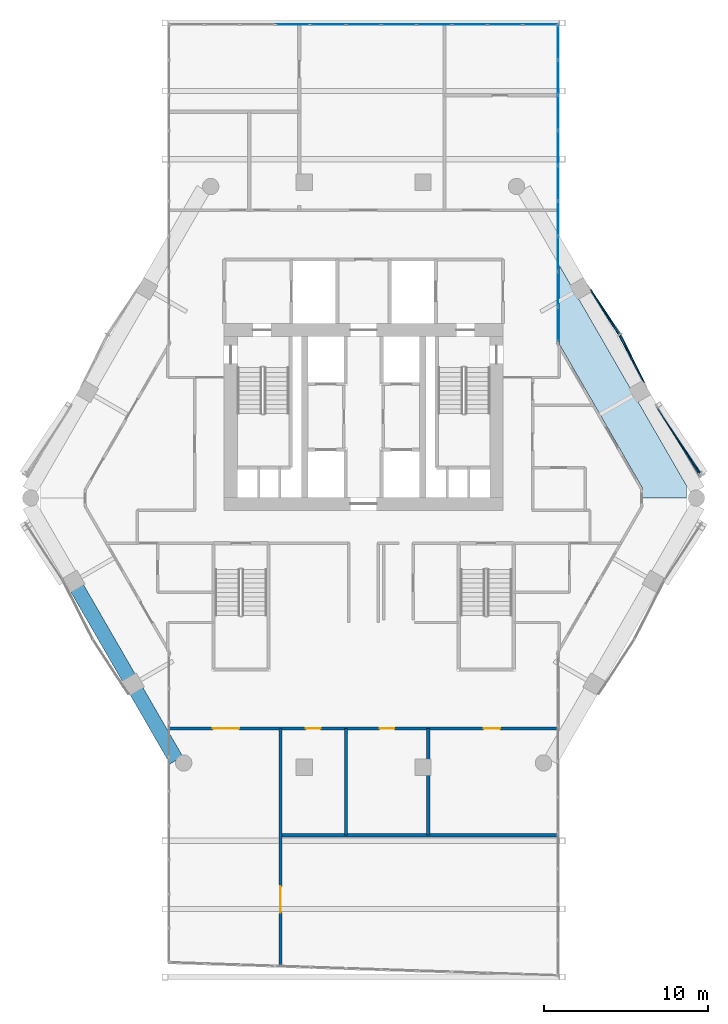
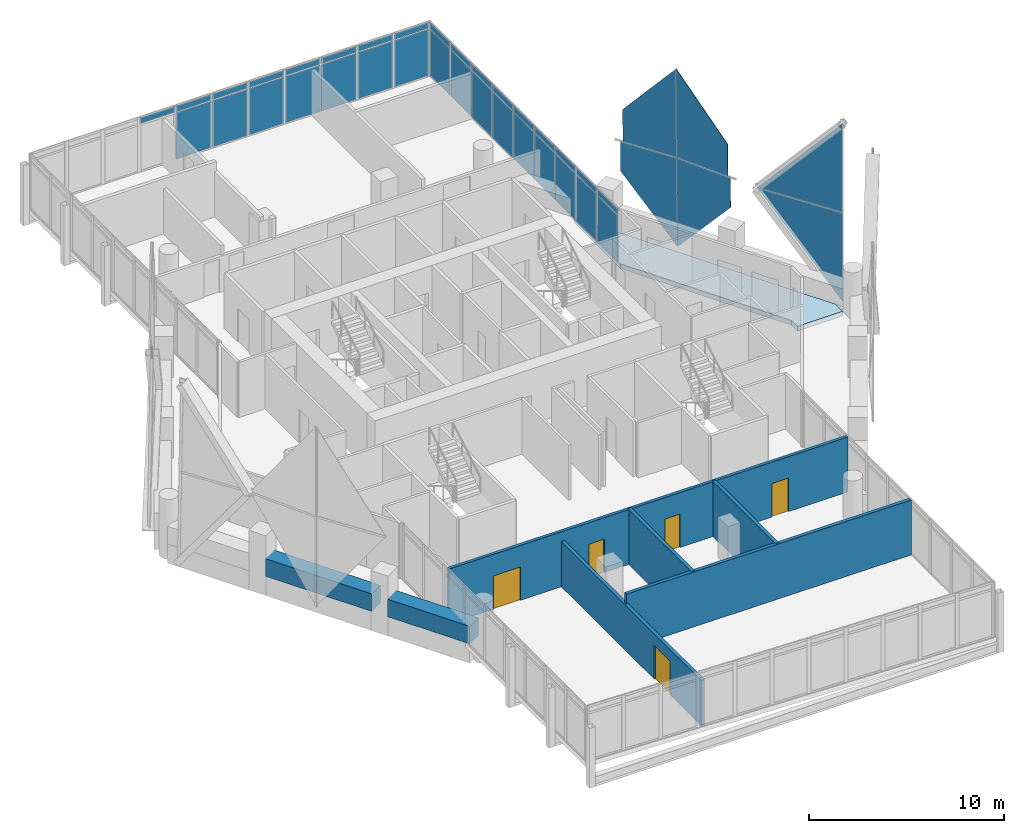
# One storey, part 28 of 37: 39 plates, 7 walls, 5 doors, 1 slab, 5 openings, 6 elements without a shape of their own.
"""IFC4 building model written with IfcOpenShell, lengths in metres."""

from ifc_helpers import new_model, si_unit, direction, frame, frame_2d, origin, origin_2d, place, context, subcontext, project, spatial, polyline, rectangle, outline, extrude, material, layer, layer_set, type_object, element, fill, aggregate, save


model = new_model("IFC4")

# Units and contexts
model_context = context("Model", 3, precision=1e-05, world=origin(), true_north=direction((0.0, 1.0)))
body_context = subcontext(model_context, "Body", "Model", "MODEL_VIEW")
ifc_project = project(units=[si_unit("LENGTHUNIT", "METRE"), si_unit("AREAUNIT", "SQUARE_METRE"), si_unit("VOLUMEUNIT", "CUBIC_METRE"), si_unit("PLANEANGLEUNIT", "RADIAN"), si_unit("MASSUNIT", "GRAM", prefix="KILO")], contexts=[model_context])

# Site, building, storey
site_placement = place(None, origin())
site = spatial("IfcSite", under=ifc_project, at=site_placement, CompositionType="ELEMENT")
building_placement = place(site_placement, origin())
building = spatial("IfcBuilding", under=site, at=building_placement, Name="Ostrander Bayou Hotel Tower", CompositionType="ELEMENT")
storey_placement = place(building_placement, frame((0.0, 0.0, 198.25)))
storey = spatial("IfcBuildingStorey", under=building, at=storey_placement, Name="L49", CompositionType="ELEMENT", Elevation=198.25)

# Curtain wall, plates
ifc_material_1 = material(Name="Aluminium and clear glass", Category="aluminium")
curtain_wall_type_1 = type_object("IfcCurtainWallType", Name="CW-BAR glazed wall", PredefinedType="NOTDEFINED", material=ifc_material_1)
curtain_wall_1_placement = place(storey_placement, origin())
curtain_wall_1 = element("IfcCurtainWall", 1, at=curtain_wall_1_placement, inside=storey, type_object=curtain_wall_type_1, Name="CW-BAR L49:SB4N:T", PredefinedType="NOTDEFINED")
ifc_material_2 = material(Name="Clear laminated glass", Category="glass")
ifc_layer_1 = layer(ifc_material_2, 0.028076171875)
ifc_layer_set_1 = layer_set([ifc_layer_1], Name="CW-BR glazing panel 28 mm")
plate_type_1 = type_object("IfcPlateType", Name="CW-BR glazing panel 28 mm", PredefinedType="CURTAIN_PANEL", material=ifc_layer_set_1)
plate_1_placement = place(storey_placement, frame((-4.311767578125, 27.916015625, 3.02978515625), z_axis=(0.0, 0.0, 1.0), x_axis=(1.0, 0.0, 0.0)))
plate_1 = element("IfcPlate", 2, at=plate_1_placement, type_object=plate_type_1, Name="CW-BAR panel 4.2", PredefinedType="CURTAIN_PANEL", context=body_context, shape_type="SweptSolid", body=[
    extrude(rectangle(XDim=2.095947265625, YDim=0.028076171875, at=origin_2d()), origin(), (0.0, 0.0, 1.0), 0.360107421875),
])
plate_2_placement = place(storey_placement, frame((-2.15576171875, 27.916015625, 0.06005859375), z_axis=(0.0, 0.0, 1.0), x_axis=(1.0, 0.0, 0.0)))
plate_2 = element("IfcPlate", 3, at=plate_2_placement, type_object=plate_type_1, Name="CW-BAR panel 5.1", PredefinedType="CURTAIN_PANEL", context=body_context, shape_type="SweptSolid", body=[
    extrude(rectangle(XDim=2.095947265625, YDim=0.028076171875, at=origin_2d()), origin(), (0.0, 0.0, 1.0), 2.909912109375),
])
plate_3_placement = place(storey_placement, frame((-2.15576171875, 27.916015625, 3.02978515625), z_axis=(0.0, 0.0, 1.0), x_axis=(1.0, 0.0, 0.0)))
plate_3 = element("IfcPlate", 4, at=plate_3_placement, type_object=plate_type_1, Name="CW-BAR panel 5.2", PredefinedType="CURTAIN_PANEL", context=body_context, shape_type="SweptSolid", body=[
    extrude(rectangle(XDim=2.095947265625, YDim=0.028076171875, at=origin_2d()), origin(), (0.0, 0.0, 1.0), 0.360107421875),
])
plate_4_placement = place(storey_placement, frame((0.0, 27.916015625, 0.06005859375), z_axis=(0.0, 0.0, 1.0), x_axis=(1.0, 0.0, 0.0)))
plate_4 = element("IfcPlate", 5, at=plate_4_placement, type_object=plate_type_1, Name="CW-BAR panel 6.1", PredefinedType="CURTAIN_PANEL", context=body_context, shape_type="SweptSolid", body=[
    extrude(rectangle(XDim=2.095947265625, YDim=0.028076171875, at=origin_2d()), origin(), (0.0, 0.0, 1.0), 2.909912109375),
])
plate_5_placement = place(storey_placement, frame((0.0, 27.916015625, 3.02978515625), z_axis=(0.0, 0.0, 1.0), x_axis=(1.0, 0.0, 0.0)))
plate_5 = element("IfcPlate", 6, at=plate_5_placement, type_object=plate_type_1, Name="CW-BAR panel 6.2", PredefinedType="CURTAIN_PANEL", context=body_context, shape_type="SweptSolid", body=[
    extrude(rectangle(XDim=2.095947265625, YDim=0.028076171875, at=origin_2d()), origin(), (0.0, 0.0, 1.0), 0.360107421875),
])
plate_6_placement = place(storey_placement, frame((2.15576171875, 27.916015625, 0.06005859375), z_axis=(0.0, 0.0, 1.0), x_axis=(1.0, 0.0, 0.0)))
plate_6 = element("IfcPlate", 7, at=plate_6_placement, type_object=plate_type_1, Name="CW-BAR panel 7.1", PredefinedType="CURTAIN_PANEL", context=body_context, shape_type="SweptSolid", body=[
    extrude(rectangle(XDim=2.095947265625, YDim=0.028076171875, at=origin_2d()), origin(), (0.0, 0.0, 1.0), 2.909912109375),
])
plate_7_placement = place(storey_placement, frame((2.15576171875, 27.916015625, 3.02978515625), z_axis=(0.0, 0.0, 1.0), x_axis=(1.0, 0.0, 0.0)))
plate_7 = element("IfcPlate", 8, at=plate_7_placement, type_object=plate_type_1, Name="CW-BAR panel 7.2", PredefinedType="CURTAIN_PANEL", context=body_context, shape_type="SweptSolid", body=[
    extrude(rectangle(XDim=2.095947265625, YDim=0.028076171875, at=origin_2d()), origin(), (0.0, 0.0, 1.0), 0.360107421875),
])
plate_8_placement = place(storey_placement, frame((4.311767578125, 27.916015625, 0.06005859375), z_axis=(0.0, 0.0, 1.0), x_axis=(1.0, 0.0, 0.0)))
plate_8 = element("IfcPlate", 9, at=plate_8_placement, type_object=plate_type_1, Name="CW-BAR panel 8.1", PredefinedType="CURTAIN_PANEL", context=body_context, shape_type="SweptSolid", body=[
    extrude(rectangle(XDim=2.095947265625, YDim=0.028076171875, at=origin_2d()), origin(), (0.0, 0.0, 1.0), 2.909912109375),
])
plate_9_placement = place(storey_placement, frame((4.311767578125, 27.916015625, 3.02978515625), z_axis=(0.0, 0.0, 1.0), x_axis=(1.0, 0.0, 0.0)))
plate_9 = element("IfcPlate", 10, at=plate_9_placement, type_object=plate_type_1, Name="CW-BAR panel 8.2", PredefinedType="CURTAIN_PANEL", context=body_context, shape_type="SweptSolid", body=[
    extrude(rectangle(XDim=2.095947265625, YDim=0.028076171875, at=origin_2d()), origin(), (0.0, 0.0, 1.0), 0.360107421875),
])
plate_10_placement = place(storey_placement, frame((6.467529296875, 27.916015625, 0.06005859375), z_axis=(0.0, 0.0, 1.0), x_axis=(1.0, 0.0, 0.0)))
plate_10 = element("IfcPlate", 11, at=plate_10_placement, type_object=plate_type_1, Name="CW-BAR panel 9.1", PredefinedType="CURTAIN_PANEL", context=body_context, shape_type="SweptSolid", body=[
    extrude(rectangle(XDim=2.095947265625, YDim=0.028076171875, at=origin_2d()), origin(), (0.0, 0.0, 1.0), 2.909912109375),
])
plate_11_placement = place(storey_placement, frame((6.467529296875, 27.916015625, 3.02978515625), z_axis=(0.0, 0.0, 1.0), x_axis=(1.0, 0.0, 0.0)))
plate_11 = element("IfcPlate", 12, at=plate_11_placement, type_object=plate_type_1, Name="CW-BAR panel 9.2", PredefinedType="CURTAIN_PANEL", context=body_context, shape_type="SweptSolid", body=[
    extrude(rectangle(XDim=2.095947265625, YDim=0.028076171875, at=origin_2d()), origin(), (0.0, 0.0, 1.0), 0.360107421875),
])
plate_12_placement = place(storey_placement, frame((8.62353515625, 27.916015625, 0.06005859375), z_axis=(0.0, 0.0, 1.0), x_axis=(1.0, 0.0, 0.0)))
plate_12 = element("IfcPlate", 13, at=plate_12_placement, type_object=plate_type_1, Name="CW-BAR panel 10.1", PredefinedType="CURTAIN_PANEL", context=body_context, shape_type="SweptSolid", body=[
    extrude(rectangle(XDim=2.095947265625, YDim=0.028076171875, at=origin_2d()), origin(), (0.0, 0.0, 1.0), 2.909912109375),
])
plate_13_placement = place(storey_placement, frame((8.62353515625, 27.916015625, 3.02978515625), z_axis=(0.0, 0.0, 1.0), x_axis=(1.0, 0.0, 0.0)))
plate_13 = element("IfcPlate", 14, at=plate_13_placement, type_object=plate_type_1, Name="CW-BAR panel 10.2", PredefinedType="CURTAIN_PANEL", context=body_context, shape_type="SweptSolid", body=[
    extrude(rectangle(XDim=2.095947265625, YDim=0.028076171875, at=origin_2d()), origin(), (0.0, 0.0, 1.0), 0.360107421875),
])
plate_14_placement = place(storey_placement, frame((10.76416015625, 27.916015625, 0.06005859375), z_axis=(0.0, 0.0, 1.0), x_axis=(1.0, 0.0, 0.0)))
plate_14 = element("IfcPlate", 15, at=plate_14_placement, type_object=plate_type_1, Name="CW-BAR panel 11.1", PredefinedType="CURTAIN_PANEL", context=body_context, shape_type="SweptSolid", body=[
    extrude(rectangle(XDim=2.06591796875, YDim=0.028076171875, at=origin_2d()), origin(), (0.0, 0.0, 1.0), 2.909912109375),
])
plate_15_placement = place(storey_placement, frame((10.76416015625, 27.916015625, 3.02978515625), z_axis=(0.0, 0.0, 1.0), x_axis=(1.0, 0.0, 0.0)))
plate_15 = element("IfcPlate", 16, at=plate_15_placement, type_object=plate_type_1, Name="CW-BAR panel 11.2", PredefinedType="CURTAIN_PANEL", context=body_context, shape_type="SweptSolid", body=[
    extrude(rectangle(XDim=2.06591796875, YDim=0.028076171875, at=origin_2d()), origin(), (0.0, 0.0, 1.0), 0.360107421875),
])
aggregate(curtain_wall_1, [plate_1, plate_2, plate_3, plate_4, plate_5, plate_6, plate_7, plate_8, plate_9, plate_10, plate_11, plate_12, plate_13, plate_14, plate_15])

curtain_wall_2_placement = place(storey_placement, origin())
curtain_wall_2 = element("IfcCurtainWall", 17, at=curtain_wall_2_placement, inside=storey, type_object=curtain_wall_type_1, Name="CW-BAR L49:SB4N:W", PredefinedType="NOTDEFINED")
plate_16_placement = place(storey_placement, frame((11.857177734375, 9.654541015625, 0.06005859375), z_axis=(0.0, 0.0, 1.0), x_axis=(0.0, 1.0, 0.0)))
plate_16 = element("IfcPlate", 18, at=plate_16_placement, type_object=plate_type_1, Name="CW-BAR panel 1.1", PredefinedType="CURTAIN_PANEL", context=body_context, shape_type="SweptSolid", body=[
    extrude(rectangle(XDim=2.060302734375, YDim=0.028076171875, at=origin_2d()), origin(), (0.0, 0.0, 1.0), 2.909912109375),
])
plate_17_placement = place(storey_placement, frame((11.857177734375, 9.654541015625, 3.02978515625), z_axis=(0.0, 0.0, 1.0), x_axis=(0.0, 1.0, 0.0)))
plate_17 = element("IfcPlate", 19, at=plate_17_placement, type_object=plate_type_1, Name="CW-BAR panel 1.2", PredefinedType="CURTAIN_PANEL", context=body_context, shape_type="SweptSolid", body=[
    extrude(rectangle(XDim=2.060302734375, YDim=0.028076171875, at=origin_2d()), origin(), (0.0, 0.0, 1.0), 0.360107421875),
])
plate_18_placement = place(storey_placement, frame((11.857177734375, 11.789794921875, 0.06005859375), z_axis=(0.0, 0.0, 1.0), x_axis=(0.0, 1.0, 0.0)))
plate_18 = element("IfcPlate", 20, at=plate_18_placement, type_object=plate_type_1, Name="CW-BAR panel 2.1", PredefinedType="CURTAIN_PANEL", context=body_context, shape_type="SweptSolid", body=[
    extrude(rectangle(XDim=2.090087890625, YDim=0.028076171875, at=origin_2d()), origin(), (0.0, 0.0, 1.0), 2.909912109375),
])
plate_19_placement = place(storey_placement, frame((11.857177734375, 11.789794921875, 3.02978515625), z_axis=(0.0, 0.0, 1.0), x_axis=(0.0, 1.0, 0.0)))
plate_19 = element("IfcPlate", 21, at=plate_19_placement, type_object=plate_type_1, Name="CW-BAR panel 2.2", PredefinedType="CURTAIN_PANEL", context=body_context, shape_type="SweptSolid", body=[
    extrude(rectangle(XDim=2.090087890625, YDim=0.028076171875, at=origin_2d()), origin(), (0.0, 0.0, 1.0), 0.360107421875),
])
plate_20_placement = place(storey_placement, frame((11.857177734375, 13.93994140625, 0.06005859375), z_axis=(0.0, 0.0, 1.0), x_axis=(0.0, 1.0, 0.0)))
plate_20 = element("IfcPlate", 22, at=plate_20_placement, type_object=plate_type_1, Name="CW-BAR panel 3.1", PredefinedType="CURTAIN_PANEL", context=body_context, shape_type="SweptSolid", body=[
    extrude(rectangle(XDim=2.090087890625, YDim=0.028076171875, at=origin_2d()), origin(), (0.0, 0.0, 1.0), 2.909912109375),
])
plate_21_placement = place(storey_placement, frame((11.857177734375, 13.93994140625, 3.02978515625), z_axis=(0.0, 0.0, 1.0), x_axis=(0.0, 1.0, 0.0)))
plate_21 = element("IfcPlate", 23, at=plate_21_placement, type_object=plate_type_1, Name="CW-BAR panel 3.2", PredefinedType="CURTAIN_PANEL", context=body_context, shape_type="SweptSolid", body=[
    extrude(rectangle(XDim=2.090087890625, YDim=0.028076171875, at=origin_2d()), origin(), (0.0, 0.0, 1.0), 0.360107421875),
])
plate_22_placement = place(storey_placement, frame((11.857177734375, 16.090087890625, 0.06005859375), z_axis=(0.0, 0.0, 1.0), x_axis=(0.0, 1.0, 0.0)))
plate_22 = element("IfcPlate", 24, at=plate_22_placement, type_object=plate_type_1, Name="CW-BAR panel 4.1", PredefinedType="CURTAIN_PANEL", context=body_context, shape_type="SweptSolid", body=[
    extrude(rectangle(XDim=2.090087890625, YDim=0.028076171875, at=origin_2d()), origin(), (0.0, 0.0, 1.0), 2.909912109375),
])
plate_23_placement = place(storey_placement, frame((11.857177734375, 16.090087890625, 3.02978515625), z_axis=(0.0, 0.0, 1.0), x_axis=(0.0, 1.0, 0.0)))
plate_23 = element("IfcPlate", 25, at=plate_23_placement, type_object=plate_type_1, Name="CW-BAR panel 4.2", PredefinedType="CURTAIN_PANEL", context=body_context, shape_type="SweptSolid", body=[
    extrude(rectangle(XDim=2.090087890625, YDim=0.028076171875, at=origin_2d()), origin(), (0.0, 0.0, 1.0), 0.360107421875),
])
plate_24_placement = place(storey_placement, frame((11.857177734375, 18.240234375, 0.06005859375), z_axis=(0.0, 0.0, 1.0), x_axis=(0.0, 1.0, 0.0)))
plate_24 = element("IfcPlate", 26, at=plate_24_placement, type_object=plate_type_1, Name="CW-BAR panel 5.1", PredefinedType="CURTAIN_PANEL", context=body_context, shape_type="SweptSolid", body=[
    extrude(rectangle(XDim=2.090087890625, YDim=0.028076171875, at=origin_2d()), origin(), (0.0, 0.0, 1.0), 2.909912109375),
])
plate_25_placement = place(storey_placement, frame((11.857177734375, 18.240234375, 3.02978515625), z_axis=(0.0, 0.0, 1.0), x_axis=(0.0, 1.0, 0.0)))
plate_25 = element("IfcPlate", 27, at=plate_25_placement, type_object=plate_type_1, Name="CW-BAR panel 5.2", PredefinedType="CURTAIN_PANEL", context=body_context, shape_type="SweptSolid", body=[
    extrude(rectangle(XDim=2.090087890625, YDim=0.028076171875, at=origin_2d()), origin(), (0.0, 0.0, 1.0), 0.360107421875),
])
plate_26_placement = place(storey_placement, frame((11.857177734375, 20.390380859375, 0.06005859375), z_axis=(0.0, 0.0, 1.0), x_axis=(0.0, 1.0, 0.0)))
plate_26 = element("IfcPlate", 28, at=plate_26_placement, type_object=plate_type_1, Name="CW-BAR panel 6.1", PredefinedType="CURTAIN_PANEL", context=body_context, shape_type="SweptSolid", body=[
    extrude(rectangle(XDim=2.090087890625, YDim=0.028076171875, at=origin_2d()), origin(), (0.0, 0.0, 1.0), 2.909912109375),
])
plate_27_placement = place(storey_placement, frame((11.857177734375, 20.390380859375, 3.02978515625), z_axis=(0.0, 0.0, 1.0), x_axis=(0.0, 1.0, 0.0)))
plate_27 = element("IfcPlate", 29, at=plate_27_placement, type_object=plate_type_1, Name="CW-BAR panel 6.2", PredefinedType="CURTAIN_PANEL", context=body_context, shape_type="SweptSolid", body=[
    extrude(rectangle(XDim=2.090087890625, YDim=0.028076171875, at=origin_2d()), origin(), (0.0, 0.0, 1.0), 0.360107421875),
])
plate_28_placement = place(storey_placement, frame((11.857177734375, 22.54052734375, 0.06005859375), z_axis=(0.0, 0.0, 1.0), x_axis=(0.0, 1.0, 0.0)))
plate_28 = element("IfcPlate", 30, at=plate_28_placement, type_object=plate_type_1, Name="CW-BAR panel 7.1", PredefinedType="CURTAIN_PANEL", context=body_context, shape_type="SweptSolid", body=[
    extrude(rectangle(XDim=2.090087890625, YDim=0.028076171875, at=origin_2d()), origin(), (0.0, 0.0, 1.0), 2.909912109375),
])
plate_29_placement = place(storey_placement, frame((11.857177734375, 22.54052734375, 3.02978515625), z_axis=(0.0, 0.0, 1.0), x_axis=(0.0, 1.0, 0.0)))
plate_29 = element("IfcPlate", 31, at=plate_29_placement, type_object=plate_type_1, Name="CW-BAR panel 7.2", PredefinedType="CURTAIN_PANEL", context=body_context, shape_type="SweptSolid", body=[
    extrude(rectangle(XDim=2.090087890625, YDim=0.028076171875, at=origin_2d()), origin(), (0.0, 0.0, 1.0), 0.360107421875),
])
plate_30_placement = place(storey_placement, frame((11.857177734375, 24.69091796875, 0.06005859375), z_axis=(0.0, 0.0, 1.0), x_axis=(0.0, 1.0, 0.0)))
plate_30 = element("IfcPlate", 32, at=plate_30_placement, type_object=plate_type_1, Name="CW-BAR panel 8.1", PredefinedType="CURTAIN_PANEL", context=body_context, shape_type="SweptSolid", body=[
    extrude(rectangle(XDim=2.090087890625, YDim=0.028076171875, at=origin_2d()), origin(), (0.0, 0.0, 1.0), 2.909912109375),
])
plate_31_placement = place(storey_placement, frame((11.857177734375, 24.69091796875, 3.02978515625), z_axis=(0.0, 0.0, 1.0), x_axis=(0.0, 1.0, 0.0)))
plate_31 = element("IfcPlate", 33, at=plate_31_placement, type_object=plate_type_1, Name="CW-BAR panel 8.2", PredefinedType="CURTAIN_PANEL", context=body_context, shape_type="SweptSolid", body=[
    extrude(rectangle(XDim=2.090087890625, YDim=0.028076171875, at=origin_2d()), origin(), (0.0, 0.0, 1.0), 0.360107421875),
])
plate_32_placement = place(storey_placement, frame((11.857177734375, 26.825927734375, 0.06005859375), z_axis=(0.0, 0.0, 1.0), x_axis=(0.0, 1.0, 0.0)))
plate_32 = element("IfcPlate", 34, at=plate_32_placement, type_object=plate_type_1, Name="CW-BAR panel 9.1", PredefinedType="CURTAIN_PANEL", context=body_context, shape_type="SweptSolid", body=[
    extrude(rectangle(XDim=2.060302734375, YDim=0.028076171875, at=origin_2d()), origin(), (0.0, 0.0, 1.0), 2.909912109375),
])
plate_33_placement = place(storey_placement, frame((11.857177734375, 26.825927734375, 3.02978515625), z_axis=(0.0, 0.0, 1.0), x_axis=(0.0, 1.0, 0.0)))
plate_33 = element("IfcPlate", 35, at=plate_33_placement, type_object=plate_type_1, Name="CW-BAR panel 9.2", PredefinedType="CURTAIN_PANEL", context=body_context, shape_type="SweptSolid", body=[
    extrude(rectangle(XDim=2.060302734375, YDim=0.028076171875, at=origin_2d()), origin(), (0.0, 0.0, 1.0), 0.360107421875),
])
aggregate(curtain_wall_2, [plate_16, plate_17, plate_18, plate_19, plate_20, plate_21, plate_22, plate_23, plate_24, plate_25, plate_26, plate_27, plate_28, plate_29, plate_30, plate_31, plate_32, plate_33])

# Curtain wall, plate
ifc_material_3 = material(Name="Aluminium and clear glass", Category="aluminium")
curtain_wall_type_2 = type_object("IfcCurtainWallType", Name="CW-LAT lattice glazing", PredefinedType="NOTDEFINED", material=ifc_material_3)
curtain_wall_3_placement = place(storey_placement, origin())
curtain_wall_3 = element("IfcCurtainWall", 36, at=curtain_wall_3_placement, inside=storey, type_object=curtain_wall_type_2, Name="CW-LAT L49 NE 3", PredefinedType="NOTDEFINED")
ifc_material_4 = material(Name="Clear laminated glass", Category="glass")
ifc_layer_2 = layer(ifc_material_4, 0.028076171875)
ifc_layer_set_2 = layer_set([ifc_layer_2], Name="CW-LA glazing panel 28 mm")
plate_type_2 = type_object("IfcPlateType", Name="CW-LA glazing panel 28 mm", PredefinedType="CURTAIN_PANEL", material=ifc_layer_set_2)
plate_34_placement = place(storey_placement, frame((17.85400390625, 4.64208984375, 5.02490234375), z_axis=(0.838719415014, 0.544357814851, 0.014977058789), x_axis=(0.365854488383, -0.542892495675, -0.755922106748)))
plate_34 = element("IfcPlate", 37, at=plate_34_placement, type_object=plate_type_2, Name="CW-LAT panel 1", PredefinedType="CURTAIN_PANEL", context=body_context, shape_type="SweptSolid", body=[
    extrude(outline(polyline([(0.0, 0.0), (7.441242887050435, 0.0), (3.2162545754877865, -3.71470472296651), (0.0, 0.0)])), origin(), (0.0, 0.0, -1.0), 0.028076171875),
])

curtain_wall_4_placement = place(storey_placement, origin())
curtain_wall_4 = element("IfcCurtainWall", 38, at=curtain_wall_4_placement, inside=storey, type_object=curtain_wall_type_2, Name="CW-LAT L49 NE 4", PredefinedType="NOTDEFINED")
plate_35_placement = place(storey_placement, frame((17.85400390625, 4.64208984375, 5.02490234375), z_axis=(0.838719871734, 0.544358111277, 0.014940664172), x_axis=(0.35049983728, -0.560623903609, 0.750233765415)))
plate_35 = element("IfcPlate", 39, at=plate_35_placement, type_object=plate_type_2, Name="CW-LAT panel 2", PredefinedType="CURTAIN_PANEL", context=body_context, shape_type="SweptSolid", body=[
    extrude(outline(polyline([(0.0, 0.0), (7.497663074238693, 0.0), (3.2482615863777604, 3.686749427292076), (0.0, 0.0)])), origin(), (0.0, 0.0, -1.0), 0.028076171875),
])

curtain_wall_5_placement = place(storey_placement, origin())
curtain_wall_5 = element("IfcCurtainWall", 40, at=curtain_wall_5_placement, inside=storey, type_object=curtain_wall_type_2, Name="CW-LAT L49 NE 1", PredefinedType="NOTDEFINED")
plate_36_placement = place(storey_placement, frame((17.129638671875, 6.123291015625, 3.139404296875), z_axis=(0.890804187212, 0.454155152122, 0.014525764887), x_axis=(-0.289177555683, 0.591287001491, -0.752832001948)))
plate_36 = element("IfcPlate", 41, at=plate_36_placement, type_object=plate_type_2, Name="CW-LAT panel 3", PredefinedType="CURTAIN_PANEL", context=body_context, shape_type="SweptSolid", body=[
    extrude(outline(polyline([(0.0, 0.0), (4.967243930520643, 0.0), (0.7289302676823497, 3.699188741503849), (-1.4195505292958766, 1.2412639539781032), (0.0, 0.0)])), origin(), (0.0, 0.0, -1.0), 0.028076171875),
])
aggregate(curtain_wall_5, [plate_36])

curtain_wall_6_placement = place(storey_placement, origin())
curtain_wall_6 = element("IfcCurtainWall", 42, at=curtain_wall_6_placement, inside=storey, type_object=curtain_wall_type_2, Name="CW-LAT L49 NE 2", PredefinedType="NOTDEFINED")
plate_37_placement = place(storey_placement, frame((17.01171875, 6.228515625, 7.082763671875), z_axis=(0.890804551113, 0.454154848524, 0.01451293486), x_axis=(-0.308381015552, 0.580800919062, 0.753373374672)))
plate_37 = element("IfcPlate", 43, at=plate_37_placement, type_object=plate_type_2, Name="CW-LAT panel 4", PredefinedType="CURTAIN_PANEL", context=body_context, shape_type="SweptSolid", body=[
    extrude(outline(polyline([(0.0, 0.0), (4.7348893514783885, 4.440892098500626e-16), (0.49915241482187844, -3.702141627725597), (-1.5507455213024997, -1.353096462549106), (0.0, 0.0)])), origin(), (0.0, 0.0, -1.0), 0.028076171875),
])
aggregate(curtain_wall_6, [plate_37])

# Plate
plate_38_placement = place(storey_placement, frame((13.866455078125, 11.77490234375, 3.14208984375), z_axis=(0.838714435898, 0.544378414294, 0.014499554039), x_axis=(0.367468932264, -0.546101608973, -0.752821105242)))
plate_38 = element("IfcPlate", 44, at=plate_38_placement, type_object=plate_type_2, Name="CW-LAT panel 5", PredefinedType="CURTAIN_PANEL", context=body_context, shape_type="SweptSolid", body=[
    extrude(outline(polyline([(0.0, 0.0), (4.9708858013965145, -4.440892098500626e-16), (0.732515370137999, -3.6991237005156106), (-1.4174982115651633, -1.2395266721261118), (0.0, 0.0)])), origin(), (0.0, 0.0, -1.0), 0.028076171875),
])

aggregate(curtain_wall_3, [plate_34, plate_38])

plate_39_placement = place(storey_placement, frame((13.89990234375, 11.618408203125, 7.082763671875), z_axis=(0.838712817162, 0.544381014777, 0.014495553776), x_axis=(0.348831040939, -0.55749392691, 0.753337524843)))
plate_39 = element("IfcPlate", 45, at=plate_39_placement, type_object=plate_type_2, Name="CW-LAT panel 6", PredefinedType="CURTAIN_PANEL", context=body_context, shape_type="SweptSolid", body=[
    extrude(outline(polyline([(0.0, 0.0), (4.735116796656368, 0.0), (0.4994247677939825, 3.702193004033182), (-1.550560505346172, 1.353305250108319), (0.0, 0.0)])), origin(), (0.0, 0.0, -1.0), 0.028076171875),
])

aggregate(curtain_wall_4, [plate_35, plate_39])

# Slab
ifc_material_5 = material(Name="Concrete f'c 40 MPa", Category="concrete")
ifc_layer_3 = layer(ifc_material_5, 0.300048828125)
ifc_layer_set_3 = layer_set([ifc_layer_3], Name="SL4 loggia slab 300 mm f'c 40 MPa")
slab_type = type_object("IfcSlabType", Name="SL4 loggia slab 300 mm f'c 40 MPa", PredefinedType="FLOOR", material=ifc_layer_set_3)
slab_placement = place(storey_placement, frame((0.0, 0.0, -0.300048828125)))
element("IfcSlab", 46, at=slab_placement, inside=storey, type_object=slab_type, Name="SL4 LOGGIA L49 NE 1", PredefinedType="FLOOR", context=body_context, shape_type="SweptSolid", body=[
    extrude(outline(polyline([(11.93212890625, 13.234619140625), (14.5498046875, 8.70068359375), (16.25390625, 5.7490234375), (16.723876953125, 4.93505859375), (19.68798828125, -0.19921875), (19.68798828125, -0.94921875), (17.00341796875, -0.94921875), (17.00341796875, -0.34912109375), (11.93212890625, 8.4345703125), (11.93212890625, 13.234619140625)])), origin(), (0.0, 0.0, 1.0), 0.300048828125),
])

# Walls
ifc_material_6 = material(Name="Limestone masonry", Category="masonry")
ifc_layer_4 = layer(ifc_material_6, 0.89990234375)
ifc_layer_set_4 = layer_set([ifc_layer_4], Name="PA2 limestone parapet 900 mm")
wall_type_1 = type_object("IfcWallType", Name="PA2 limestone parapet 900 mm", PredefinedType="PARAPET", material=ifc_layer_set_4)
wall_1_placement = place(storey_placement, frame((-17.465576171875, -6.44873046875, 0.0), z_axis=(0.0, 0.0, 1.0), x_axis=(0.500013351051, -0.866017695414, 0.0)))
element("IfcWall", 47, at=wall_1_placement, inside=storey, type_object=wall_type_1, Name="PA2 L49 SW-2", PredefinedType="PARAPET", context=body_context, shape_type="SweptSolid", body=[
    extrude(rectangle(XDim=6.296142578125, YDim=0.89990234375, at=frame_2d((3.14794921875, 0.0))), origin(), (0.0, 0.0, 1.0), 1.10009765625),
])
wall_2_placement = place(storey_placement, frame((-13.847412109375, -12.71533203125, 0.0), z_axis=(0.0, 0.0, 1.0), x_axis=(0.499974254476, -0.866040267459, 0.0)))
element("IfcWall", 48, at=wall_2_placement, inside=storey, type_object=wall_type_1, Name="PA2 L49 SW-3", PredefinedType="PARAPET", context=body_context, shape_type="SweptSolid", body=[
    extrude(rectangle(XDim=4.867919921875, YDim=0.89990234375, at=frame_2d((2.43408203125, 0.0))), origin(), (0.0, 0.0, 1.0), 1.10009765625),
])
ifc_material_7 = material(Name="Gypsum board partition", Category="finish")
ifc_layer_5 = layer(ifc_material_7, 0.199951171875)
ifc_layer_set_5 = layer_set([ifc_layer_5], Name="PT3 demising wall 200 mm acoustic double stud, 1 hour")
wall_type_2 = type_object("IfcWallType", Name="PT3 demising wall 200 mm acoustic double stud, 1 hour", PredefinedType="PARTITIONING", material=ifc_layer_set_5)
wall_3_placement = place(storey_placement, frame((-5.06787109375, -21.5, 0.0), z_axis=(0.0, 0.0, 1.0), x_axis=(1.0, 0.0, 0.0)))
element("IfcWall", 49, at=wall_3_placement, inside=storey, type_object=wall_type_2, Name="sw:L49:502", PredefinedType="PARTITIONING", context=body_context, shape_type="SweptSolid", body=[
    extrude(rectangle(XDim=16.906005859375, YDim=0.199951171875, at=frame_2d((8.453125, 0.0))), origin(), (0.0, 0.0, 1.0), 3.449951171875),
])

# Wall, opening, door
wall_4_placement = place(storey_placement, frame((-5.068115234375, -29.461181640625, 0.0), z_axis=(0.0, 0.0, 1.0), x_axis=(0.0, 1.0, 0.0)))
wall_4 = element("IfcWall", 50, at=wall_4_placement, inside=storey, type_object=wall_type_2, Name="sw:L49:506", PredefinedType="PARTITIONING", context=body_context, shape_type="SweptSolid", body=[
    extrude(rectangle(XDim=14.461181640625, YDim=0.199951171875, at=frame_2d((7.23046875, 0.0))), origin(), (0.0, 0.0, 1.0), 2.8388671875),
])
opening_1_placement = place(wall_4_placement, frame((3.236083984375, 0.0, 0.0)))
opening_1 = element("IfcOpeningElement", 51, at=opening_1_placement, cuts=wall_4, Name="Opening T48-1204", PredefinedType="OPENING", context=body_context, shape_type="SweptSolid", body=[
    extrude(rectangle(XDim=1.60009765625, YDim=2.10009765625, at=frame_2d((0.800048828125, 1.050048828125))), frame((0.0, 0.10009765625, 0.0), z_axis=(0.0, -1.0, 0.0), x_axis=(1.0, 0.0, 0.0)), (0.0, 0.0, 1.0), 0.199951171875),
])
ifc_material_8 = material(Name="Timber door leaf", Category="wood")
door_type_1 = type_object("IfcDoorType", Name="D13 double door 1600 x 2100 mm, 1 hour", OperationType="SINGLE_SWING_LEFT", PredefinedType="DOOR", material=ifc_material_8)
door_1_placement = place(opening_1_placement, origin())
door_1 = element("IfcDoor", 52, at=door_1_placement, inside=storey, type_object=door_type_1, Name="dr:L49:1204", OperationType="DOUBLE_DOOR_SINGLE_SWING", OverallHeight=2.10009765625, OverallWidth=1.60009765625, PredefinedType="DOOR", context=body_context, shape_type="SweptSolid", body=[
    extrude(rectangle(XDim=1.60009765625, YDim=2.10009765625, at=frame_2d((0.800048828125, 1.050048828125))), frame((0.0, 0.02490234375, 0.0), z_axis=(0.0, -1.0, 0.0), x_axis=(1.0, 0.0, 0.0)), (0.0, 0.0, 1.0), 0.050048828125),
])
fill(opening_1, door_1)

# Walls
for number, where, z_axis, x_axis, name in (
    (53, (-1.068115234375, -21.5, 0.0), (0.0, 0.0, 1.0), (0.0, 1.0, 0.0), "sw:L49:509"),
    (54, (3.931884765625, -21.5, 0.0), (0.0, 0.0, 1.0), (0.0, 1.0, 0.0), "sw:L49:510"),
):
    element("IfcWall", number, at=place(storey_placement, frame(where, z_axis=z_axis, x_axis=x_axis)), inside=storey, type_object=wall_type_2, Name=name, PredefinedType="PARTITIONING", context=body_context, shape_type="SweptSolid", body=[
        extrude(rectangle(XDim=6.5, YDim=0.199951171875, at=frame_2d((3.25, 0.0))), origin(), (0.0, 0.0, 1.0), 3.449951171875),
    ])

# Wall, openings, doors
ifc_material_9 = material(Name="Gypsum board partition", Category="finish")
ifc_layer_6 = layer(ifc_material_9, 0.175048828125)
ifc_layer_set_6 = layer_set([ifc_layer_6], Name="PT4 corridor wall 175 mm, 1 hour")
wall_type_3 = type_object("IfcWallType", Name="PT4 corridor wall 175 mm, 1 hour", PredefinedType="PARTITIONING", material=ifc_layer_set_6)
wall_5_placement = place(storey_placement, frame((-11.838134765625, -15.0, 0.0), z_axis=(0.0, 0.0, 1.0), x_axis=(1.0, 0.0, 0.0)))
wall_5 = element("IfcWall", 55, at=wall_5_placement, inside=storey, type_object=wall_type_3, Name="sw:L49:500", PredefinedType="PARTITIONING", context=body_context, shape_type="SweptSolid", body=[
    extrude(rectangle(XDim=23.67626953125, YDim=0.175048828125, at=frame_2d((11.838134765625, 0.0))), origin(), (0.0, 0.0, 1.0), 3.449951171875),
])
opening_2_placement = place(wall_5_placement, frame((8.3203125, 0.0, 0.0)))
opening_2 = element("IfcOpeningElement", 56, at=opening_2_placement, cuts=wall_5, Name="Opening T48-1200", PredefinedType="OPENING", context=body_context, shape_type="SweptSolid", body=[
    extrude(rectangle(XDim=0.89990234375, YDim=2.10009765625, at=frame_2d((0.449951171875, 1.050048828125))), frame((0.0, 0.08740234375, 0.0), z_axis=(0.0, -1.0, 0.0), x_axis=(1.0, 0.0, 0.0)), (0.0, 0.0, 1.0), 0.175048828125),
])
opening_3_placement = place(wall_5_placement, frame((12.8203125, 0.0, 0.0)))
opening_3 = element("IfcOpeningElement", 57, at=opening_3_placement, cuts=wall_5, Name="Opening T48-1201", PredefinedType="OPENING", context=body_context, shape_type="SweptSolid", body=[
    extrude(rectangle(XDim=0.89990234375, YDim=2.10009765625, at=frame_2d((0.449951171875, 1.050048828125))), frame((0.0, 0.08740234375, 0.0), z_axis=(0.0, -1.0, 0.0), x_axis=(1.0, 0.0, 0.0)), (0.0, 0.0, 1.0), 0.175048828125),
])
opening_4_placement = place(wall_5_placement, frame((19.155517578125, 0.0, 0.0)))
opening_4 = element("IfcOpeningElement", 58, at=opening_4_placement, cuts=wall_5, Name="Opening T48-1202", PredefinedType="OPENING", context=body_context, shape_type="SweptSolid", body=[
    extrude(rectangle(XDim=1.0, YDim=2.10009765625, at=frame_2d((0.5, 1.050048828125))), frame((0.0, 0.08740234375, 0.0), z_axis=(0.0, -1.0, 0.0), x_axis=(1.0, 0.0, 0.0)), (0.0, 0.0, 1.0), 0.175048828125),
])
opening_5_placement = place(wall_5_placement, frame((2.6533203125, 0.0, 0.0)))
opening_5 = element("IfcOpeningElement", 59, at=opening_5_placement, cuts=wall_5, Name="Opening T48-1203", PredefinedType="OPENING", context=body_context, shape_type="SweptSolid", body=[
    extrude(rectangle(XDim=1.60009765625, YDim=2.10009765625, at=frame_2d((0.800048828125, 1.050048828125))), frame((0.0, 0.08740234375, 0.0), z_axis=(0.0, -1.0, 0.0), x_axis=(1.0, 0.0, 0.0)), (0.0, 0.0, 1.0), 0.175048828125),
])
door_2_placement = place(opening_5_placement, origin())
door_2 = element("IfcDoor", 60, at=door_2_placement, inside=storey, type_object=door_type_1, Name="dr:L49:1203", OperationType="DOUBLE_DOOR_SINGLE_SWING", OverallHeight=2.10009765625, OverallWidth=1.60009765625, PredefinedType="DOOR", context=body_context, shape_type="SweptSolid", body=[
    extrude(rectangle(XDim=1.60009765625, YDim=2.10009765625, at=frame_2d((0.800048828125, 1.050048828125))), frame((0.0, 0.02490234375, 0.0), z_axis=(0.0, -1.0, 0.0), x_axis=(1.0, 0.0, 0.0)), (0.0, 0.0, 1.0), 0.050048828125),
])
fill(opening_5, door_2)
ifc_material_10 = material(Name="Timber door leaf", Category="wood")
door_type_2 = type_object("IfcDoorType", Name="D8 room door 900 x 2100 mm", OperationType="SINGLE_SWING_LEFT", PredefinedType="DOOR", material=ifc_material_10)
door_3_placement = place(opening_2_placement, origin())
door_3 = element("IfcDoor", 61, at=door_3_placement, inside=storey, type_object=door_type_2, Name="dr:L49:1200", OperationType="SINGLE_SWING_RIGHT", OverallHeight=2.10009765625, OverallWidth=0.89990234375, PredefinedType="DOOR", context=body_context, shape_type="SweptSolid", body=[
    extrude(rectangle(XDim=0.89990234375, YDim=2.10009765625, at=frame_2d((0.449951171875, 1.050048828125))), frame((0.0, 0.02490234375, 0.0), z_axis=(0.0, -1.0, 0.0), x_axis=(1.0, 0.0, 0.0)), (0.0, 0.0, 1.0), 0.050048828125),
])
fill(opening_2, door_3)
door_4_placement = place(opening_3_placement, origin())
door_4 = element("IfcDoor", 62, at=door_4_placement, inside=storey, type_object=door_type_2, Name="dr:L49:1201", OperationType="SINGLE_SWING_LEFT", OverallHeight=2.10009765625, OverallWidth=0.89990234375, PredefinedType="DOOR", context=body_context, shape_type="SweptSolid", body=[
    extrude(rectangle(XDim=0.89990234375, YDim=2.10009765625, at=frame_2d((0.449951171875, 1.050048828125))), frame((0.0, 0.02490234375, 0.0), z_axis=(0.0, -1.0, 0.0), x_axis=(1.0, 0.0, 0.0)), (0.0, 0.0, 1.0), 0.050048828125),
])
fill(opening_3, door_4)
ifc_material_11 = material(Name="Timber door leaf", Category="wood")
door_type_3 = type_object("IfcDoorType", Name="D9 service door 1000 x 2100 mm, 30 minute", OperationType="SINGLE_SWING_LEFT", PredefinedType="DOOR", material=ifc_material_11)
door_5_placement = place(opening_4_placement, origin())
door_5 = element("IfcDoor", 63, at=door_5_placement, inside=storey, type_object=door_type_3, Name="dr:L49:1202", OperationType="SINGLE_SWING_RIGHT", OverallHeight=2.10009765625, OverallWidth=1.0, PredefinedType="DOOR", context=body_context, shape_type="SweptSolid", body=[
    extrude(rectangle(XDim=1.0, YDim=2.10009765625, at=frame_2d((0.5, 1.050048828125))), frame((0.0, 0.02490234375, 0.0), z_axis=(0.0, -1.0, 0.0), x_axis=(1.0, 0.0, 0.0)), (0.0, 0.0, 1.0), 0.050048828125),
])
fill(opening_4, door_5)

save(model, "model.ifc")
